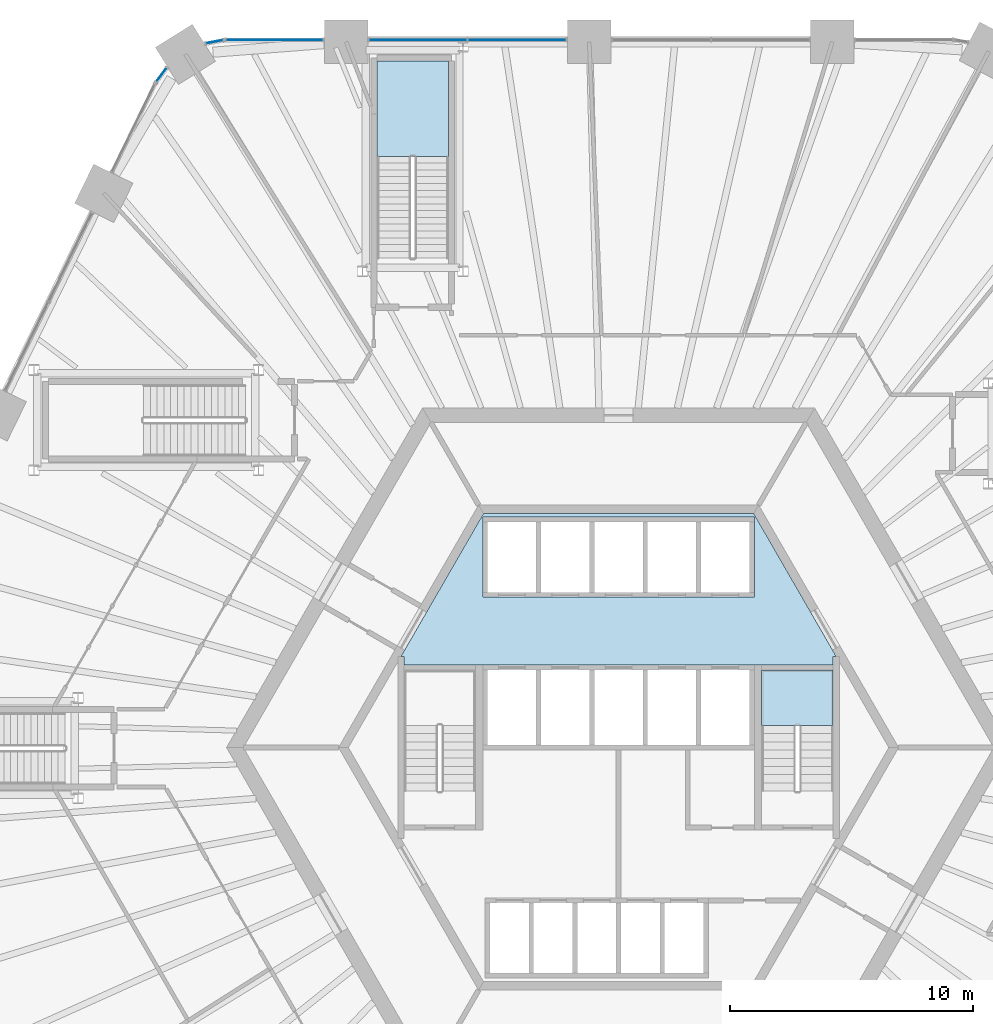
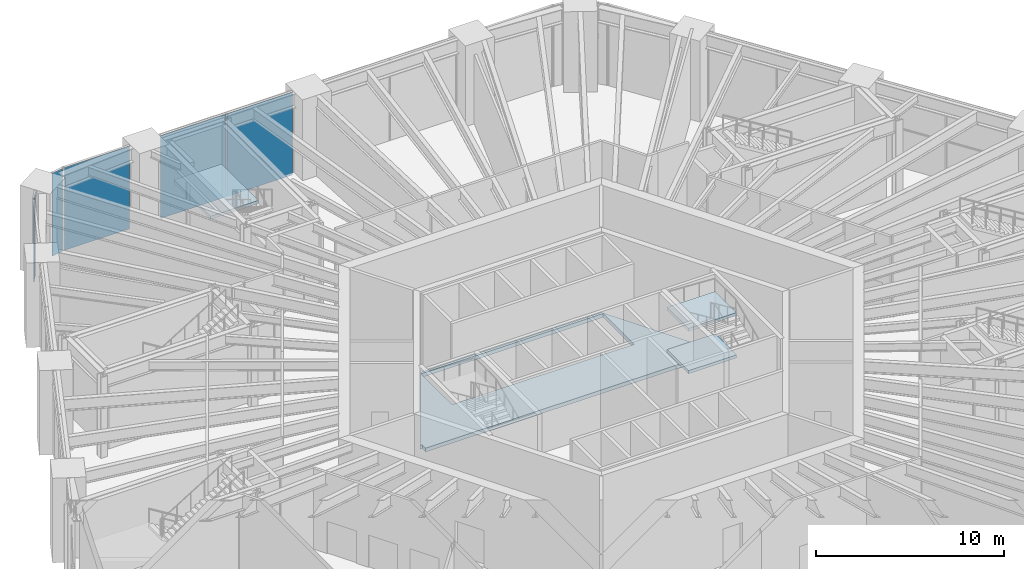
# One storey, part 18 of 30: 5 plates, 4 slabs, 6 elements without a shape of their own.
"""IFC4 building model written with IfcOpenShell, lengths in metres."""

from ifc_helpers import new_model, si_unit, direction, frame, origin, origin_2d, place, context, subcontext, project, spatial, polyline, rectangle, outline, extrude, material, layer, layer_set, type_object, element, aggregate, save


model = new_model("IFC4")

# Units and contexts
model_context = context("Model", 3, precision=1e-05, world=origin(), true_north=direction((0.0, 1.0)))
body_context = subcontext(model_context, "Body", "Model", "MODEL_VIEW")
ifc_project = project(units=[si_unit("LENGTHUNIT", "METRE"), si_unit("AREAUNIT", "SQUARE_METRE"), si_unit("VOLUMEUNIT", "CUBIC_METRE"), si_unit("PLANEANGLEUNIT", "RADIAN"), si_unit("MASSUNIT", "GRAM", prefix="KILO")], contexts=[model_context])

# Site, building, storey
site_placement = place(None, origin())
site = spatial("IfcSite", under=ifc_project, at=site_placement, CompositionType="ELEMENT")
building_placement = place(site_placement, origin())
building = spatial("IfcBuilding", under=site, at=building_placement, Name="Tarnside Tower", CompositionType="ELEMENT")
storey_placement = place(building_placement, frame((0.0, 0.0, 15.0)))
storey = spatial("IfcBuildingStorey", under=building, at=storey_placement, Name="L02", CompositionType="ELEMENT", Elevation=15.0)

# Slab
ifc_material_1 = material(Name="Concrete C40/50", Category="concrete")
ifc_layer_1 = layer(ifc_material_1, 0.25)
ifc_layer_set_1 = layer_set([ifc_layer_1], Name="Core slab C40/50")
slab_type_1 = type_object("IfcSlabType", Name="Core slab C40/50", PredefinedType="FLOOR", material=ifc_layer_set_1)
slab_1_placement = place(storey_placement, frame((0.0, 0.0, -0.25)))
element("IfcSlab", 1, at=slab_1_placement, inside=storey, type_object=slab_type_1, Name="L02 core floor slab 2", PredefinedType="FLOOR", context=body_context, shape_type="SweptSolid", body=[
    extrude(outline(polyline([(-8.97509765625, 3.7548828125), (-5.5712890625, 9.64990234375), (5.5712890625, 9.64990234375), (8.97509765625, 3.7548828125), (8.85009765625, 3.7548828125), (8.85009765625, 3.39990234375), (5.89990234375, 3.39990234375), (5.60009765625, 3.39990234375), (5.60009765625, 3.39990234375), (-5.60009765625, 3.39990234375), (-5.89990234375, 3.39990234375), (-8.85009765625, 3.39990234375), (-8.85009765625, 3.7548828125), (-8.97509765625, 3.7548828125)]), holes=[polyline([(-5.60009765625, 6.199951171875), (5.60009765625, 6.199951171875), (5.60009765625, 6.39990234375), (5.60009765625, 9.300048828125), (5.60009765625, 9.5), (-5.60009765625, 9.5), (-5.60009765625, 9.300048828125), (-5.60009765625, 6.39990234375), (-5.60009765625, 6.199951171875)])]), origin(), (0.0, 0.0, 1.0), 0.25),
])

# Stair, slab
stair_type_1 = type_object("IfcStairType", Name="Podium exit stair 1400 clear", PredefinedType="HALF_TURN_STAIR", material=ifc_material_1)
stair_1_placement = place(storey_placement, origin())
stair_1 = element("IfcStair", 2, at=stair_1_placement, inside=storey, type_object=stair_type_1, Name="L02 Podium exit stair 1", PredefinedType="HALF_TURN_STAIR")
ifc_layer_2 = layer(ifc_material_1, 0.199951171875)
ifc_layer_set_2 = layer_set([ifc_layer_2], Name="Podium stair landing 200 C40/50")
slab_type_2 = type_object("IfcSlabType", Name="Podium stair landing 200 C40/50", PredefinedType="LANDING", material=ifc_layer_set_2)
slab_2_placement = place(storey_placement, frame((0.0, 0.0, 2.550048828125)))
slab_2 = element("IfcSlab", 3, at=slab_2_placement, type_object=slab_type_2, Name="PS1 landing 1", PredefinedType="LANDING", context=body_context, shape_type="SweptSolid", body=[
    extrude(outline(polyline([(-7.0146484375, 24.3798828125), (-7.0146484375, 28.300048828125), (-9.96484375, 28.300048828125), (-9.96484375, 24.3798828125), (-7.0146484375, 24.3798828125)])), origin(), (0.0, 0.0, 1.0), 0.199951171875),
])
aggregate(stair_1, [slab_2])

# Curtain wall, plates
ifc_material_2 = material(Name="Retail shopfront glazing wall", Category="glass")
curtain_wall_type = type_object("IfcCurtainWallType", Name="Retail shopfront glazing wall", PredefinedType="NOTDEFINED", material=ifc_material_2)
curtain_wall_1_placement = place(storey_placement, origin())
curtain_wall_1 = element("IfcCurtainWall", 4, at=curtain_wall_1_placement, inside=storey, type_object=curtain_wall_type, Name="Retail shopfront glazing L02 01.0", PredefinedType="NOTDEFINED")
ifc_material_3 = material(Name="Low-iron safety glass", Category="glass")
ifc_layer_3 = layer(ifc_material_3, 0.028076171875)
ifc_layer_set_3 = layer_set([ifc_layer_3], Name="Retail shopfront glazing panel 28")
plate_type = type_object("IfcPlateType", Name="Retail shopfront glazing panel 28", PredefinedType="CURTAIN_PANEL", material=ifc_layer_set_3)
plate_1_placement = place(storey_placement, frame((-4.181884765625, 29.179931640625, -0.18994140625), z_axis=(0.0, 0.0, 1.0), x_axis=(-1.0, 0.0, 0.0)))
plate_1 = element("IfcPlate", 5, at=plate_1_placement, type_object=plate_type, Name="CW2 panel 1.1", PredefinedType="CURTAIN_PANEL", context=body_context, shape_type="SweptSolid", body=[
    extrude(rectangle(XDim=4.021728515625, YDim=0.028076171875, at=origin_2d()), origin(), (0.0, 0.0, 1.0), 5.3798828125),
])
plate_2_placement = place(storey_placement, frame((-8.263916015625, 29.179931640625, -0.18994140625), z_axis=(0.0, 0.0, 1.0), x_axis=(-1.0, 0.0, 0.0)))
plate_2 = element("IfcPlate", 6, at=plate_2_placement, type_object=plate_type, Name="CW2 panel 2.1", PredefinedType="CURTAIN_PANEL", context=body_context, shape_type="SweptSolid", body=[
    extrude(rectangle(XDim=4.021728515625, YDim=0.028076171875, at=origin_2d()), origin(), (0.0, 0.0, 1.0), 5.3798828125),
])
aggregate(curtain_wall_1, [plate_1, plate_2])

# Curtain wall, plate
curtain_wall_2_placement = place(storey_placement, origin())
curtain_wall_2 = element("IfcCurtainWall", 7, at=curtain_wall_2_placement, inside=storey, type_object=curtain_wall_type, Name="Retail shopfront glazing L02 02.0", PredefinedType="NOTDEFINED")
plate_3_placement = place(storey_placement, frame((-14.190673828125, 29.179931640625, -0.18994140625), z_axis=(0.0, 0.0, 1.0), x_axis=(-1.0, 0.0, 0.0)))
plate_3 = element("IfcPlate", 8, at=plate_3_placement, type_object=plate_type, Name="CW2 panel 1.1", PredefinedType="CURTAIN_PANEL", context=body_context, shape_type="SweptSolid", body=[
    extrude(rectangle(XDim=3.991943359375, YDim=0.028076171875, at=origin_2d()), origin(), (0.0, 0.0, 1.0), 5.3798828125),
])
aggregate(curtain_wall_2, [plate_3])

curtain_wall_3_placement = place(storey_placement, origin())
curtain_wall_3 = element("IfcCurtainWall", 9, at=curtain_wall_3_placement, inside=storey, type_object=curtain_wall_type, Name="Retail shopfront glazing L02 02.1", PredefinedType="NOTDEFINED")
plate_4_placement = place(storey_placement, frame((-16.6650390625, 29.1025390625, -0.18994140625), z_axis=(0.0, 0.0, 1.0), x_axis=(-0.982720646541, -0.185094923925, 0.0)))
plate_4 = element("IfcPlate", 10, at=plate_4_placement, type_object=plate_type, Name="CW2 panel 1.1", PredefinedType="CURTAIN_PANEL", context=body_context, shape_type="SweptSolid", body=[
    extrude(rectangle(XDim=0.701416015625, YDim=0.028076171875, at=origin_2d()), origin(), (0.0, 0.0, 1.0), 5.3798828125),
])
aggregate(curtain_wall_3, [plate_4])

curtain_wall_4_placement = place(storey_placement, origin())
curtain_wall_4 = element("IfcCurtainWall", 11, at=curtain_wall_4_placement, inside=storey, type_object=curtain_wall_type, Name="Retail shopfront glazing L02 03.0", PredefinedType="NOTDEFINED")
plate_5_placement = place(storey_placement, frame((-18.851806640625, 27.736083984375, -0.18994140625), z_axis=(0.0, 0.0, 1.0), x_axis=(-0.597158591581, -0.802123192845, 0.0)))
plate_5 = element("IfcPlate", 12, at=plate_5_placement, type_object=plate_type, Name="CW2 panel 1.1", PredefinedType="CURTAIN_PANEL", context=body_context, shape_type="SweptSolid", body=[
    extrude(rectangle(XDim=0.701416015625, YDim=0.028076171875, at=origin_2d()), origin(), (0.0, 0.0, 1.0), 5.3798828125),
])
aggregate(curtain_wall_4, [plate_5])

# Stair, slabs
stair_type_2 = type_object("IfcStairType", Name="Exit stair 1400 clear", PredefinedType="HALF_TURN_STAIR", material=ifc_material_1)
stair_2_placement = place(storey_placement, origin())
stair_2 = element("IfcStair", 13, at=stair_2_placement, inside=storey, type_object=stair_type_2, Name="L02 Exit stair 1", PredefinedType="HALF_TURN_STAIR")
ifc_layer_4 = layer(ifc_material_1, 0.199951171875)
ifc_layer_set_4 = layer_set([ifc_layer_4], Name="Stair landing 200 C40/50")
slab_type_3 = type_object("IfcSlabType", Name="Stair landing 200 C40/50", PredefinedType="LANDING", material=ifc_layer_set_4)
slab_3_placement = place(storey_placement, frame((0.0, 0.0, 1.175048828125)))
slab_3 = element("IfcSlab", 14, at=slab_3_placement, type_object=slab_type_3, Name="ST1 landing 1", PredefinedType="LANDING", context=body_context, shape_type="SweptSolid", body=[
    extrude(outline(polyline([(8.85009765625, 0.919921875), (8.85009765625, 3.199951171875), (5.89990234375, 3.199951171875), (5.89990234375, 0.919921875), (8.85009765625, 0.919921875)])), origin(), (0.0, 0.0, 1.0), 0.199951171875),
])
slab_4_placement = place(storey_placement, frame((0.0, 0.0, 3.925048828125)))
slab_4 = element("IfcSlab", 15, at=slab_4_placement, type_object=slab_type_3, Name="ST1 landing 3", PredefinedType="LANDING", context=body_context, shape_type="SweptSolid", body=[
    extrude(outline(polyline([(8.85009765625, 0.919921875), (8.85009765625, 3.199951171875), (5.89990234375, 3.199951171875), (5.89990234375, 0.919921875), (8.85009765625, 0.919921875)])), origin(), (0.0, 0.0, 1.0), 0.199951171875),
])
aggregate(stair_2, [slab_3, slab_4])

save(model, "model.ifc")
